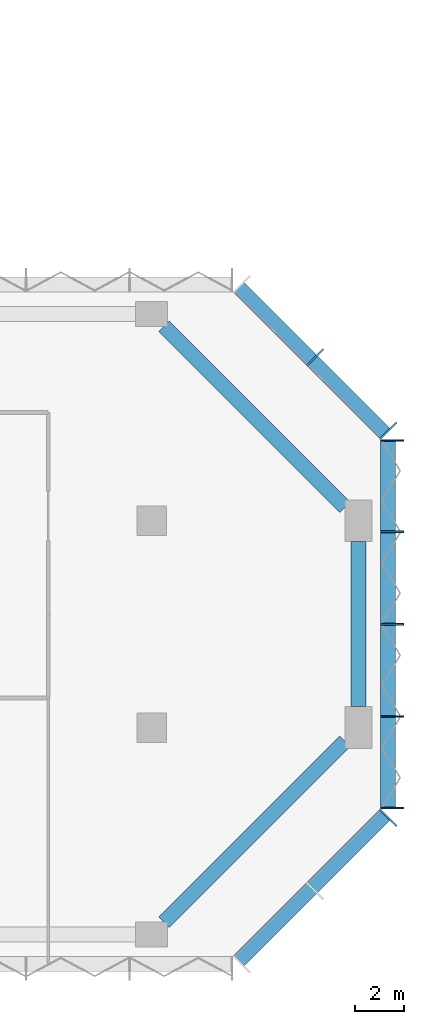
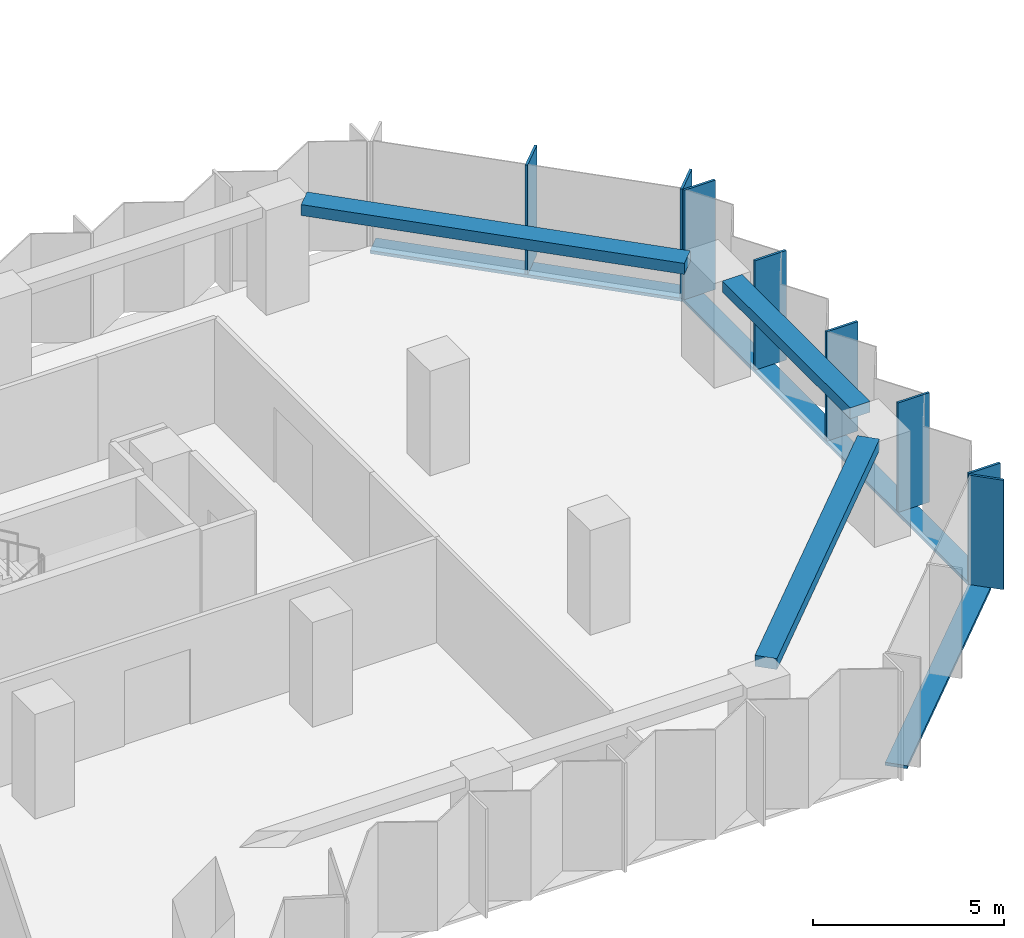
# One storey, part 4 of 13: 11 members, 3 beams, 3 elements without a shape of their own.
"""IFC4 building model written with IfcOpenShell, lengths in metres."""

from ifc_helpers import new_model, si_unit, direction, frame, origin, origin_2d, place, context, subcontext, project, spatial, rectangle, extrude, material, material_profile, profile_set, type_object, element, aggregate, save


model = new_model("IFC4")

# Units and contexts
model_context = context("Model", 3, precision=1e-05, world=origin(), true_north=direction((0.0, 1.0)))
body_context = subcontext(model_context, "Body", "Model", "MODEL_VIEW")
ifc_project = project(units=[si_unit("LENGTHUNIT", "METRE"), si_unit("AREAUNIT", "SQUARE_METRE"), si_unit("VOLUMEUNIT", "CUBIC_METRE"), si_unit("PLANEANGLEUNIT", "RADIAN"), si_unit("MASSUNIT", "GRAM", prefix="KILO")], contexts=[model_context])

# Site, building, storey
site_placement = place(None, origin())
site = spatial("IfcSite", under=ifc_project, at=site_placement, CompositionType="ELEMENT")
building_placement = place(site_placement, origin())
building = spatial("IfcBuilding", under=site, at=building_placement, Name="Brevane Broadcast Tower", CompositionType="ELEMENT")
storey_placement = place(building_placement, frame((0.0, 0.0, 91.699951171875)))
storey = spatial("IfcBuildingStorey", under=building, at=storey_placement, Name="L21", CompositionType="ELEMENT", Elevation=91.699951171875)

# Curtain wall, member
ifc_material_1 = material(Name="Aluminium 6063-T6 bronze anodised", Category="aluminium")
curtain_wall_type = type_object("IfcCurtainWallType", Name="CW-1 curtain wall", PredefinedType="NOTDEFINED", material=ifc_material_1)
curtain_wall_1_placement = place(storey_placement, origin())
curtain_wall_1 = element("IfcCurtainWall", 1, at=curtain_wall_1_placement, inside=storey, type_object=curtain_wall_type, Name="CW-1 typical tilted unit L21 south-east chamfer", PredefinedType="NOTDEFINED")
ifc_material_profile_1 = material_profile(ifc_material_1, rectangle(XDim=0.949951171875, YDim=0.070068359375, at=origin_2d()), Name="RECT 70x950")
ifc_profile_set_1 = profile_set([ifc_material_profile_1], Name="Aluminium 6063-T6 bronze anodised")
member_type_1 = type_object("IfcMemberType", Name="CW-1 mullion 70x950", PredefinedType="MULLION", material=ifc_profile_set_1)
member_1_placement = place(storey_placement, frame((68.4111328125, 4.7392578125, -0.14990234375), z_axis=(0.0, 0.0, 1.0), x_axis=(-0.707106781187, 0.707106781187, 0.0)))
member_1 = element("IfcMember", 2, at=member_1_placement, type_object=member_type_1, Name="CW-1 mullion", PredefinedType="MULLION", context=body_context, shape_type="SweptSolid", body=[
    extrude(rectangle(XDim=0.949951171875, YDim=0.070068359375, at=origin_2d()), origin(), (0.0, 0.0, 1.0), 3.5),
])

# Curtain wall, members
curtain_wall_2_placement = place(storey_placement, origin())
curtain_wall_2 = element("IfcCurtainWall", 3, at=curtain_wall_2_placement, inside=storey, type_object=curtain_wall_type, Name="CW-1 typical tilted unit L21 east end", PredefinedType="NOTDEFINED")
member_2_placement = place(storey_placement, frame((68.574951171875, 5.135009765625, -0.14990234375), z_axis=(0.0, 0.0, 1.0), x_axis=(-1.0, 0.0, 0.0)))
member_2 = element("IfcMember", 4, at=member_2_placement, type_object=member_type_1, Name="CW-1 mullion", PredefinedType="MULLION", context=body_context, shape_type="SweptSolid", body=[
    extrude(rectangle(XDim=0.949951171875, YDim=0.070068359375, at=origin_2d()), origin(), (0.0, 0.0, 1.0), 3.5),
])
member_3_placement = place(storey_placement, frame((68.574951171875, 8.85009765625, -0.14990234375), z_axis=(0.0, 0.0, 1.0), x_axis=(-1.0, 0.0, 0.0)))
member_3 = element("IfcMember", 5, at=member_3_placement, type_object=member_type_1, Name="CW-1 mullion", PredefinedType="MULLION", context=body_context, shape_type="SweptSolid", body=[
    extrude(rectangle(XDim=0.949951171875, YDim=0.070068359375, at=origin_2d()), origin(), (0.0, 0.0, 1.0), 3.5),
])
member_4_placement = place(storey_placement, frame((68.574951171875, 12.60009765625, -0.14990234375), z_axis=(0.0, 0.0, 1.0), x_axis=(-1.0, 0.0, 0.0)))
member_4 = element("IfcMember", 6, at=member_4_placement, type_object=member_type_1, Name="CW-1 mullion", PredefinedType="MULLION", context=body_context, shape_type="SweptSolid", body=[
    extrude(rectangle(XDim=0.949951171875, YDim=0.070068359375, at=origin_2d()), origin(), (0.0, 0.0, 1.0), 3.5),
])
member_5_placement = place(storey_placement, frame((68.574951171875, 16.35009765625, -0.14990234375), z_axis=(0.0, 0.0, 1.0), x_axis=(-1.0, 0.0, 0.0)))
member_5 = element("IfcMember", 7, at=member_5_placement, type_object=member_type_1, Name="CW-1 mullion", PredefinedType="MULLION", context=body_context, shape_type="SweptSolid", body=[
    extrude(rectangle(XDim=0.949951171875, YDim=0.070068359375, at=origin_2d()), origin(), (0.0, 0.0, 1.0), 3.5),
])
member_6_placement = place(storey_placement, frame((68.574951171875, 20.06494140625, -0.14990234375), z_axis=(0.0, 0.0, 1.0), x_axis=(-1.0, 0.0, 0.0)))
member_6 = element("IfcMember", 8, at=member_6_placement, type_object=member_type_1, Name="CW-1 mullion", PredefinedType="MULLION", context=body_context, shape_type="SweptSolid", body=[
    extrude(rectangle(XDim=0.949951171875, YDim=0.070068359375, at=origin_2d()), origin(), (0.0, 0.0, 1.0), 3.5),
])

curtain_wall_3_placement = place(storey_placement, origin())
curtain_wall_3 = element("IfcCurtainWall", 9, at=curtain_wall_3_placement, inside=storey, type_object=curtain_wall_type, Name="CW-1 typical tilted unit L21 north-east chamfer", PredefinedType="NOTDEFINED")
member_7_placement = place(storey_placement, frame((68.4111328125, 20.460693359375, -0.14990234375), z_axis=(0.0, 0.0, 1.0), x_axis=(-0.707106781187, -0.707106781187, 0.0)))
member_7 = element("IfcMember", 10, at=member_7_placement, type_object=member_type_1, Name="CW-1 mullion", PredefinedType="MULLION", context=body_context, shape_type="SweptSolid", body=[
    extrude(rectangle(XDim=0.949951171875, YDim=0.070068359375, at=origin_2d()), origin(), (0.0, 0.0, 1.0), 3.5),
])
member_8_placement = place(storey_placement, frame((65.435791015625, 23.435791015625, -0.14990234375), z_axis=(0.0, 0.0, 1.0), x_axis=(-0.707106781187, -0.707106781187, 0.0)))
member_8 = element("IfcMember", 11, at=member_8_placement, type_object=member_type_1, Name="CW-1 mullion", PredefinedType="MULLION", context=body_context, shape_type="SweptSolid", body=[
    extrude(rectangle(XDim=0.949951171875, YDim=0.070068359375, at=origin_2d()), origin(), (0.0, 0.0, 1.0), 3.5),
])

# Member
ifc_material_profile_2 = material_profile(ifc_material_1, rectangle(XDim=0.60009765625, YDim=0.10009765625, at=origin_2d()), Name="RECT 100x600")
ifc_profile_set_2 = profile_set([ifc_material_profile_2], Name="Aluminium 6063-T6 bronze anodised")
member_type_2 = type_object("IfcMemberType", Name="CW-1 transom 100x600", PredefinedType="USERDEFINED", material=ifc_profile_set_2)
member_9_placement = place(storey_placement, frame((62.31201171875, -1.112060546875, -0.199951171875), z_axis=(0.707106781187, 0.707106781187, 0.0), x_axis=(-0.707106781187, 0.707106781187, 0.0)))
member_9 = element("IfcMember", 12, at=member_9_placement, type_object=member_type_2, Name="CW-1 transom", ObjectType="TRANSOM", PredefinedType="USERDEFINED", context=body_context, shape_type="SweptSolid", body=[
    extrude(rectangle(XDim=0.60009765625, YDim=0.10009765625, at=origin_2d()), origin(), (0.0, 0.0, 1.0), 8.4853515625),
])

aggregate(curtain_wall_1, [member_1, member_9])

member_10_placement = place(storey_placement, frame((68.39990234375, 5.10009765625, -0.199951171875), z_axis=(0.0, 1.0, 0.0), x_axis=(-1.0, 0.0, 0.0)))
member_10 = element("IfcMember", 13, at=member_10_placement, type_object=member_type_2, Name="CW-1 transom", ObjectType="TRANSOM", PredefinedType="USERDEFINED", context=body_context, shape_type="SweptSolid", body=[
    extrude(rectangle(XDim=0.60009765625, YDim=0.10009765625, at=origin_2d()), origin(), (0.0, 0.0, 1.0), 15.0),
])

aggregate(curtain_wall_2, [member_2, member_3, member_4, member_5, member_6, member_10])

member_11_placement = place(storey_placement, frame((68.31201171875, 20.31201171875, -0.199951171875), z_axis=(-0.707106781187, 0.707106781187, 0.0), x_axis=(-0.707106781187, -0.707106781187, 0.0)))
member_11 = element("IfcMember", 14, at=member_11_placement, type_object=member_type_2, Name="CW-1 transom", ObjectType="TRANSOM", PredefinedType="USERDEFINED", context=body_context, shape_type="SweptSolid", body=[
    extrude(rectangle(XDim=0.60009765625, YDim=0.10009765625, at=origin_2d()), origin(), (0.0, 0.0, 1.0), 8.4853515625),
])

aggregate(curtain_wall_3, [member_7, member_8, member_11])

# Beams
ifc_material_2 = material(Name="Concrete C40/50", Category="concrete")
ifc_material_profile_3 = material_profile(ifc_material_2, rectangle(XDim=0.60009765625, YDim=0.35009765625, at=origin_2d()), Name="RC 600x350")
ifc_profile_set_3 = profile_set([ifc_material_profile_3], Name="Concrete C40/50")
beam_type = type_object("IfcBeamType", Name="RC SPANDREL BEAM 600x350 C40/50", PredefinedType="SPANDREL", material=ifc_profile_set_3)
beam_1_placement = place(storey_placement, frame((59.300048828125, 0.5, 3.175048828125), z_axis=(0.707095037275, 0.707118524903, 0.0), x_axis=(-0.707118524903, 0.707095037275, 0.0)))
element("IfcBeam", 15, at=beam_1_placement, inside=storey, type_object=beam_type, Name="EB1 L21-5", PredefinedType="SPANDREL", context=body_context, shape_type="SweptSolid", body=[
    extrude(rectangle(XDim=0.60009765625, YDim=0.35009765625, at=origin_2d()), origin(), (0.0, 0.0, 1.0), 10.39453125),
])
beam_2_placement = place(storey_placement, frame((67.199951171875, 9.25, 3.175048828125), z_axis=(0.0, 1.0, 0.0), x_axis=(-1.0, 0.0, 0.0)))
element("IfcBeam", 16, at=beam_2_placement, inside=storey, type_object=beam_type, Name="EB1 L21-6", PredefinedType="SPANDREL", context=body_context, shape_type="SweptSolid", body=[
    extrude(rectangle(XDim=0.60009765625, YDim=0.35009765625, at=origin_2d()), origin(), (0.0, 0.0, 1.0), 6.699951171875),
])
beam_3_placement = place(storey_placement, frame((66.64990234375, 17.35009765625, 3.175048828125), z_axis=(-0.707106781187, 0.707106781187, 0.0), x_axis=(-0.707106781187, -0.707106781187, 0.0)))
element("IfcBeam", 17, at=beam_3_placement, inside=storey, type_object=beam_type, Name="EB1 L21-7", PredefinedType="SPANDREL", context=body_context, shape_type="SweptSolid", body=[
    extrude(rectangle(XDim=0.60009765625, YDim=0.35009765625, at=origin_2d()), origin(), (0.0, 0.0, 1.0), 10.394287109375),
])

save(model, "model.ifc")
